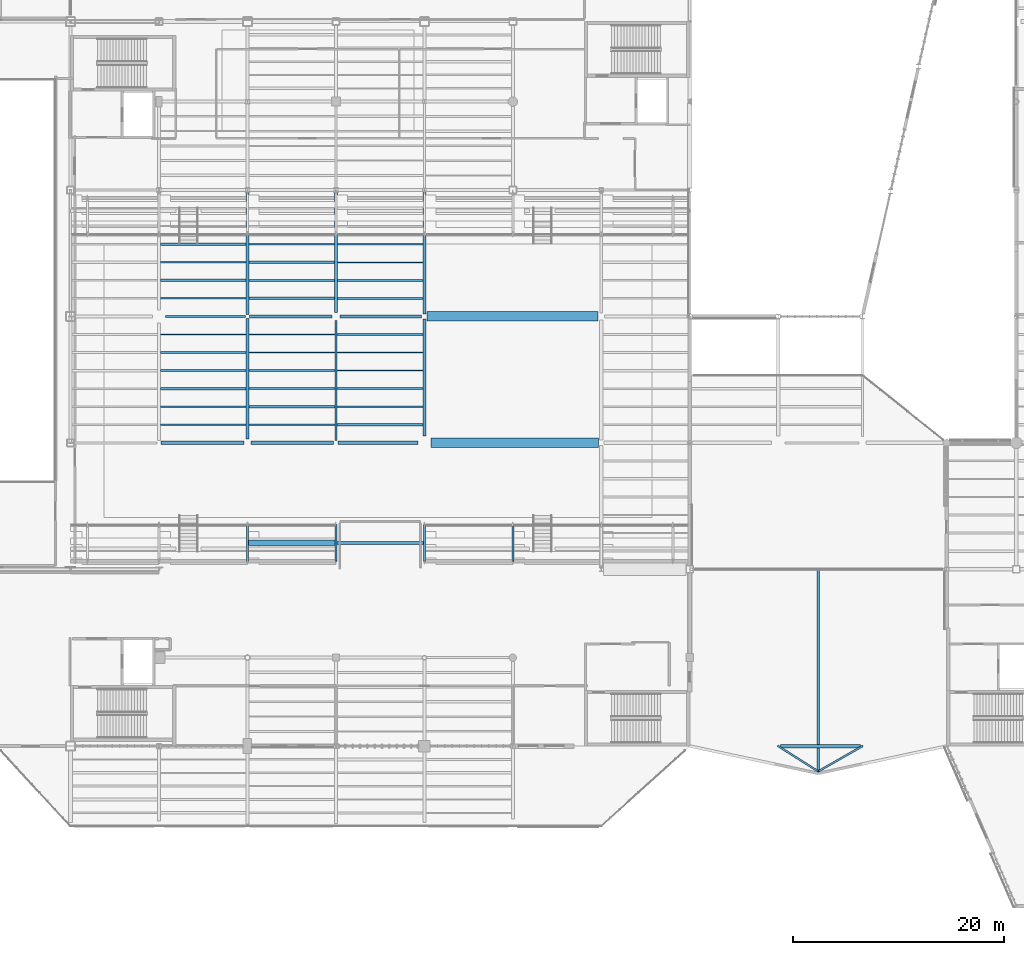
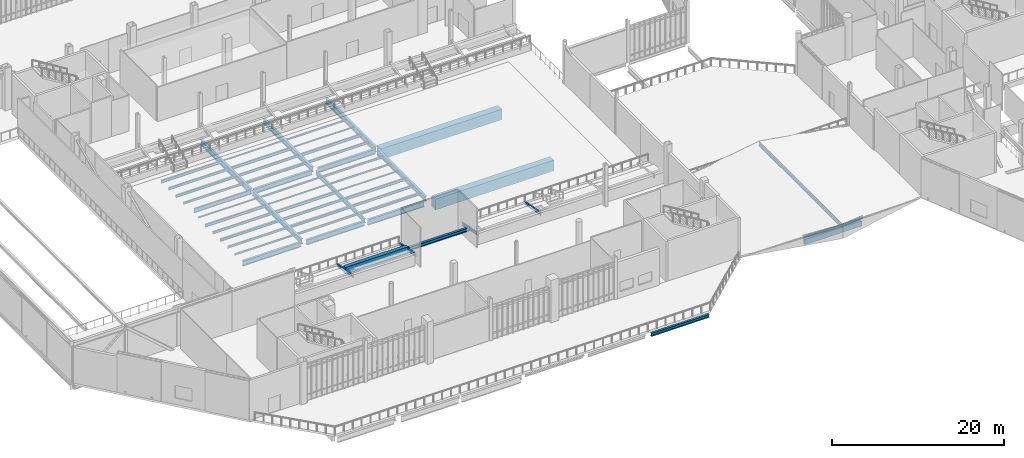
# One storey, part 18 of 135: 48 beams, 7 members.
"""IFC4 building model written with IfcOpenShell, lengths in metres."""

from ifc_helpers import new_model, si_unit, direction, frame, origin, origin_2d, place, context, subcontext, project, spatial, rectangle, i_section, extrude, material, material_profile, profile_set, type_object, element, save


model = new_model("IFC4")

# Units and contexts
model_context = context("Model", 3, precision=1e-05, world=origin(), true_north=direction((0.0, 1.0)))
body_context = subcontext(model_context, "Body", "Model", "MODEL_VIEW")
ifc_project = project(units=[si_unit("LENGTHUNIT", "METRE"), si_unit("AREAUNIT", "SQUARE_METRE"), si_unit("VOLUMEUNIT", "CUBIC_METRE"), si_unit("PLANEANGLEUNIT", "RADIAN"), si_unit("MASSUNIT", "GRAM", prefix="KILO")], contexts=[model_context])

# Site, building, storey
site_placement = place(None, origin())
site = spatial("IfcSite", under=ifc_project, at=site_placement, CompositionType="ELEMENT")
building_placement = place(site_placement, origin())
building = spatial("IfcBuilding", under=site, at=building_placement, Name="Larkvane Passage Sports Hall", CompositionType="ELEMENT")
storey_placement = place(building_placement, frame((0.0, 0.0, 10.800048828125)))
storey = spatial("IfcBuildingStorey", under=building, at=storey_placement, Name="L02", CompositionType="ELEMENT", Elevation=10.800048828125)

# Beams
ifc_material_1 = material(Name="Steel S355JR", Category="steel")
ifc_material_profile_1 = material_profile(ifc_material_1, i_section(OverallWidth=0.300048828125, OverallDepth=0.43994140625, WebThickness=0.010986328125, FlangeThickness=0.01806640625, FilletRadius=0.01806640625, at=origin_2d()), Name="H-440x300x11x18")
ifc_profile_set_1 = profile_set([ifc_material_profile_1], Name="Steel S355JR")
beam_type_1 = type_object("IfcBeamType", Name="BM-STL-H440", PredefinedType="BEAM", material=ifc_profile_set_1)
beam_1_placement = place(storey_placement, frame((77.199951171875, 15.199951171875, -0.64013671875), z_axis=(1.0, 0.0, 0.0), x_axis=(0.0, 1.0, 0.0)))
element("IfcBeam", 1, at=beam_1_placement, inside=storey, type_object=beam_type_1, Name="Girder BM5-X-L02-C-0679", PredefinedType="BEAM", context=body_context, shape_type="SweptSolid", body=[
    extrude(i_section(OverallWidth=0.300048828125, OverallDepth=0.43994140625, WebThickness=0.010986328125, FlangeThickness=0.01806640625, FilletRadius=0.01806640625, at=origin_2d()), origin(), (0.0, 0.0, 1.0), 7.800048828125),
])
ifc_material_profile_2 = material_profile(ifc_material_1, i_section(OverallWidth=0.199951171875, OverallDepth=0.60009765625, WebThickness=0.010986328125, FlangeThickness=0.01708984375, FilletRadius=0.01806640625, at=origin_2d()), Name="H-600x200x11x17")
ifc_profile_set_2 = profile_set([ifc_material_profile_2], Name="Steel S355JR")
beam_type_2 = type_object("IfcBeamType", Name="BM-STL-H600", PredefinedType="BEAM", material=ifc_profile_set_2)
beam_2_placement = place(storey_placement, frame((43.824951171875, 63.60009765625, -0.719970703125), z_axis=(1.0, 0.0, 0.0), x_axis=(0.0, 1.0, 0.0)))
element("IfcBeam", 2, at=beam_2_placement, inside=storey, type_object=beam_type_2, Name="Girder BM5-X-L02-H-0709", PredefinedType="BEAM", context=body_context, shape_type="SweptSolid", body=[
    extrude(i_section(OverallWidth=0.199951171875, OverallDepth=0.60009765625, WebThickness=0.010986328125, FlangeThickness=0.01708984375, FilletRadius=0.01806640625, at=origin_2d()), origin(), (0.0, 0.0, 1.0), 7.60009765625),
])
beam_3_placement = place(storey_placement, frame((60.0, 51.8291015625, -0.719970703125), z_axis=(0.0, 1.0, 0.0), x_axis=(-1.0, 0.0, 0.0)))
element("IfcBeam", 3, at=beam_3_placement, inside=storey, type_object=beam_type_2, Name="Girder BM5-Y-L02-9-0753", PredefinedType="BEAM", context=body_context, shape_type="SweptSolid", body=[
    extrude(i_section(OverallWidth=0.199951171875, OverallDepth=0.60009765625, WebThickness=0.010986328125, FlangeThickness=0.01708984375, FilletRadius=0.01806640625, at=origin_2d()), origin(), (0.0, 0.0, 1.0), 11.39599609375),
])
ifc_material_2 = material(Name="Steel S460N", Category="steel")
ifc_material_profile_3 = material_profile(ifc_material_2, i_section(OverallWidth=0.300048828125, OverallDepth=0.69189453125, WebThickness=0.012939453125, FlangeThickness=0.02001953125, FilletRadius=0.02197265625, at=origin_2d()), Name="H-692x300x13x20")
ifc_profile_set_3 = profile_set([ifc_material_profile_3], Name="Steel S460N")
beam_type_3 = type_object("IfcBeamType", Name="BM-STL-H692", PredefinedType="BEAM", material=ifc_profile_set_3)
for number, where, z_axis, x_axis, name in (
    (4, (43.39990234375, 51.60009765625, -0.76611328125), (1.0, 0.0, 0.0), (0.0, 1.0, 0.0), "Girder BM5-X-L02-G-0697"),
    (5, (51.77490234375, 63.60009765625, -0.76611328125), (1.0, 0.0, 0.0), (0.0, 1.0, 0.0), "Girder BM5-X-L02-H-0710"),
):
    element("IfcBeam", number, at=place(storey_placement, frame(where, z_axis=z_axis, x_axis=x_axis)), inside=storey, type_object=beam_type_3, Name=name, PredefinedType="BEAM", context=body_context, shape_type="SweptSolid", body=[
        extrude(i_section(OverallWidth=0.300048828125, OverallDepth=0.69189453125, WebThickness=0.012939453125, FlangeThickness=0.02001953125, FilletRadius=0.02197265625, at=origin_2d()), origin(), (0.0, 0.0, 1.0), 7.85009765625),
    ])
beam_4_placement = place(storey_placement, frame((60.0, 63.97509765625, -0.76611328125), z_axis=(0.0, 1.0, 0.0), x_axis=(-1.0, 0.0, 0.0)))
element("IfcBeam", 6, at=beam_4_placement, inside=storey, type_object=beam_type_3, Name="Girder BM5-Y-L02-9-0754", PredefinedType="BEAM", context=body_context, shape_type="SweptSolid", body=[
    extrude(i_section(OverallWidth=0.300048828125, OverallDepth=0.69189453125, WebThickness=0.012939453125, FlangeThickness=0.02001953125, FilletRadius=0.02197265625, at=origin_2d()), origin(), (0.0, 0.0, 1.0), 11.4248046875),
])
ifc_material_profile_4 = material_profile(ifc_material_2, i_section(OverallWidth=0.300048828125, OverallDepth=0.699951171875, WebThickness=0.012939453125, FlangeThickness=0.02392578125, FilletRadius=0.02197265625, at=origin_2d()), Name="H-700x300x13x24")
ifc_profile_set_4 = profile_set([ifc_material_profile_4], Name="Steel S460N")
beam_type_4 = type_object("IfcBeamType", Name="BM-STL-H700", PredefinedType="BEAM", material=ifc_profile_set_4)
beam_5_placement = place(storey_placement, frame((51.949951171875, 51.60009765625, -0.77001953125), z_axis=(1.0, 0.0, 0.0), x_axis=(0.0, 1.0, 0.0)))
element("IfcBeam", 7, at=beam_5_placement, inside=storey, type_object=beam_type_4, Name="Girder BM5-X-L02-G-0698", PredefinedType="BEAM", context=body_context, shape_type="SweptSolid", body=[
    extrude(i_section(OverallWidth=0.300048828125, OverallDepth=0.699951171875, WebThickness=0.012939453125, FlangeThickness=0.02392578125, FilletRadius=0.02197265625, at=origin_2d()), origin(), (0.0, 0.0, 1.0), 7.841552734375),
])
beam_6_placement = place(storey_placement, frame((60.375, 63.60009765625, -0.77001953125), z_axis=(1.0, 0.0, 0.0), x_axis=(0.0, 1.0, 0.0)))
element("IfcBeam", 8, at=beam_6_placement, inside=storey, type_object=beam_type_4, Name="Girder BM5-X-L02-H-0711", PredefinedType="BEAM", context=body_context, shape_type="SweptSolid", body=[
    extrude(i_section(OverallWidth=0.300048828125, OverallDepth=0.699951171875, WebThickness=0.012939453125, FlangeThickness=0.02392578125, FilletRadius=0.02197265625, at=origin_2d()), origin(), (0.0, 0.0, 1.0), 7.77099609375),
])
beam_7_placement = place(storey_placement, frame((51.60009765625, 51.949951171875, -0.77001953125), z_axis=(0.0, 1.0, 0.0), x_axis=(-1.0, 0.0, 0.0)))
element("IfcBeam", 9, at=beam_7_placement, inside=storey, type_object=beam_type_4, Name="Girder BM5-Y-L02-8-0747", PredefinedType="BEAM", context=body_context, shape_type="SweptSolid", body=[
    extrude(i_section(OverallWidth=0.300048828125, OverallDepth=0.699951171875, WebThickness=0.012939453125, FlangeThickness=0.02392578125, FilletRadius=0.02197265625, at=origin_2d()), origin(), (0.0, 0.0, 1.0), 11.47509765625),
])
beam_8_placement = place(storey_placement, frame((68.39990234375, 52.22509765625, -0.77001953125), z_axis=(0.0, 1.0, 0.0), x_axis=(-1.0, 0.0, 0.0)))
element("IfcBeam", 10, at=beam_8_placement, inside=storey, type_object=beam_type_4, Name="Girder BM5-Y-L02-10-0759", PredefinedType="BEAM", context=body_context, shape_type="SweptSolid", body=[
    extrude(i_section(OverallWidth=0.300048828125, OverallDepth=0.699951171875, WebThickness=0.012939453125, FlangeThickness=0.02392578125, FilletRadius=0.02197265625, at=origin_2d()), origin(), (0.0, 0.0, 1.0), 11.120849609375),
])
ifc_material_profile_5 = material_profile(ifc_material_2, i_section(OverallWidth=0.300048828125, OverallDepth=0.7919921875, WebThickness=0.013916015625, FlangeThickness=0.02197265625, FilletRadius=0.02197265625, at=origin_2d()), Name="H-792x300x14x22")
ifc_profile_set_5 = profile_set([ifc_material_profile_5], Name="Steel S460N")
beam_type_5 = type_object("IfcBeamType", Name="BM-STL-H792", PredefinedType="BEAM", material=ifc_profile_set_5)
beam_9_placement = place(storey_placement, frame((60.20849609375, 51.60009765625, -0.816162109375), z_axis=(1.0, 0.0, 0.0), x_axis=(0.0, 1.0, 0.0)))
element("IfcBeam", 11, at=beam_9_placement, inside=storey, type_object=beam_type_5, Name="Girder BM5-X-L02-G-0699", PredefinedType="BEAM", context=body_context, shape_type="SweptSolid", body=[
    extrude(i_section(OverallWidth=0.300048828125, OverallDepth=0.7919921875, WebThickness=0.013916015625, FlangeThickness=0.02197265625, FilletRadius=0.02197265625, at=origin_2d()), origin(), (0.0, 0.0, 1.0), 7.56640625),
])
beam_10_placement = place(storey_placement, frame((51.60009765625, 63.77490234375, -0.816162109375), z_axis=(0.0, 1.0, 0.0), x_axis=(-1.0, 0.0, 0.0)))
element("IfcBeam", 12, at=beam_10_placement, inside=storey, type_object=beam_type_5, Name="Girder BM5-Y-L02-8-0748", PredefinedType="BEAM", context=body_context, shape_type="SweptSolid", body=[
    extrude(i_section(OverallWidth=0.300048828125, OverallDepth=0.7919921875, WebThickness=0.013916015625, FlangeThickness=0.02197265625, FilletRadius=0.02197265625, at=origin_2d()), origin(), (0.0, 0.0, 1.0), 11.6181640625),
])
beam_11_placement = place(storey_placement, frame((68.39990234375, 63.85400390625, -0.816162109375), z_axis=(0.0, 1.0, 0.0), x_axis=(-1.0, 0.0, 0.0)))
element("IfcBeam", 13, at=beam_11_placement, inside=storey, type_object=beam_type_5, Name="Girder BM5-Y-L02-10-0760", PredefinedType="BEAM", context=body_context, shape_type="SweptSolid", body=[
    extrude(i_section(OverallWidth=0.300048828125, OverallDepth=0.7919921875, WebThickness=0.013916015625, FlangeThickness=0.02197265625, FilletRadius=0.02197265625, at=origin_2d()), origin(), (0.0, 0.0, 1.0), 11.571044921875),
])
ifc_material_profile_6 = material_profile(ifc_material_1, i_section(OverallWidth=0.10009765625, OverallDepth=0.199951171875, WebThickness=0.005615234375, FlangeThickness=0.008056640625, FilletRadius=0.008056640625, at=origin_2d()), Name="H-200x100x5.5x8")
ifc_profile_set_6 = profile_set([ifc_material_profile_6], Name="Steel S355JR")
beam_type_6 = type_object("IfcBeamType", Name="JST-STL-H200", PredefinedType="JOIST", material=ifc_profile_set_6)
beam_12_placement = place(storey_placement, frame((43.35009765625, 61.8857421875, -0.52001953125), z_axis=(1.0, 0.0, 0.0), x_axis=(0.0, 1.0, 0.0)))
element("IfcBeam", 14, at=beam_12_placement, inside=storey, type_object=beam_type_6, Name="Composite joist L02 7/G-6", PredefinedType="JOIST", context=body_context, shape_type="SweptSolid", body=[
    extrude(i_section(OverallWidth=0.10009765625, OverallDepth=0.199951171875, WebThickness=0.005615234375, FlangeThickness=0.008056640625, FilletRadius=0.008056640625, at=origin_2d()), origin(), (0.0, 0.0, 1.0), 8.099853515625),
])
beam_13_placement = place(storey_placement, frame((51.75, 60.17138671875, -0.52001953125), z_axis=(1.0, 0.0, 0.0), x_axis=(0.0, 1.0, 0.0)))
element("IfcBeam", 15, at=beam_13_placement, inside=storey, type_object=beam_type_6, Name="Composite joist L02 8/G-5", PredefinedType="JOIST", context=body_context, shape_type="SweptSolid", body=[
    extrude(i_section(OverallWidth=0.10009765625, OverallDepth=0.199951171875, WebThickness=0.005615234375, FlangeThickness=0.008056640625, FilletRadius=0.008056640625, at=origin_2d()), origin(), (0.0, 0.0, 1.0), 8.14990234375),
])
beam_14_placement = place(storey_placement, frame((51.75, 70.45703125, -0.52001953125), z_axis=(1.0, 0.0, 0.0), x_axis=(0.0, 1.0, 0.0)))
element("IfcBeam", 16, at=beam_14_placement, inside=storey, type_object=beam_type_6, Name="Composite joist L02 8/H-4", PredefinedType="JOIST", context=body_context, shape_type="SweptSolid", body=[
    extrude(i_section(OverallWidth=0.10009765625, OverallDepth=0.199951171875, WebThickness=0.005615234375, FlangeThickness=0.008056640625, FilletRadius=0.008056640625, at=origin_2d()), origin(), (0.0, 0.0, 1.0), 8.10009765625),
])
beam_15_placement = place(storey_placement, frame((60.10009765625, 58.45703125, -0.52001953125), z_axis=(1.0, 0.0, 0.0), x_axis=(0.0, 1.0, 0.0)))
element("IfcBeam", 17, at=beam_15_placement, inside=storey, type_object=beam_type_6, Name="Composite joist L02 9/G-4", PredefinedType="JOIST", context=body_context, shape_type="SweptSolid", body=[
    extrude(i_section(OverallWidth=0.10009765625, OverallDepth=0.199951171875, WebThickness=0.005615234375, FlangeThickness=0.008056640625, FilletRadius=0.008056640625, at=origin_2d()), origin(), (0.0, 0.0, 1.0), 8.14990234375),
])
beam_16_placement = place(storey_placement, frame((60.14990234375, 68.742919921875, -0.52001953125), z_axis=(1.0, 0.0, 0.0), x_axis=(0.0, 1.0, 0.0)))
element("IfcBeam", 18, at=beam_16_placement, inside=storey, type_object=beam_type_6, Name="Composite joist L02 9/H-3", PredefinedType="JOIST", context=body_context, shape_type="SweptSolid", body=[
    extrude(i_section(OverallWidth=0.10009765625, OverallDepth=0.199951171875, WebThickness=0.005615234375, FlangeThickness=0.008056640625, FilletRadius=0.008056640625, at=origin_2d()), origin(), (0.0, 0.0, 1.0), 8.10009765625),
])
ifc_material_profile_7 = material_profile(ifc_material_1, i_section(OverallWidth=0.125, OverallDepth=0.25, WebThickness=0.006103515625, FlangeThickness=0.009033203125, FilletRadius=0.008056640625, at=origin_2d()), Name="H-250x125x6x9")
ifc_profile_set_7 = profile_set([ifc_material_profile_7], Name="Steel S355JR")
beam_type_7 = type_object("IfcBeamType", Name="JST-STL-H250", PredefinedType="JOIST", material=ifc_profile_set_7)
beam_17_placement = place(storey_placement, frame((43.35009765625, 53.314208984375, -0.545166015625), z_axis=(1.0, 0.0, 0.0), x_axis=(0.0, 1.0, 0.0)))
element("IfcBeam", 19, at=beam_17_placement, inside=storey, type_object=beam_type_7, Name="Composite joist L02 7/G-1", PredefinedType="JOIST", context=body_context, shape_type="SweptSolid", body=[
    extrude(i_section(OverallWidth=0.125, OverallDepth=0.25, WebThickness=0.006103515625, FlangeThickness=0.009033203125, FilletRadius=0.008056640625, at=origin_2d()), origin(), (0.0, 0.0, 1.0), 8.099853515625),
])
for number, where, z_axis, x_axis, name in (
    (20, (51.75, 61.8857421875, -0.545166015625), (1.0, 0.0, 0.0), (0.0, 1.0, 0.0), "Composite joist L02 8/G-6"),
    (21, (60.10009765625, 60.17138671875, -0.545166015625), (1.0, 0.0, 0.0), (0.0, 1.0, 0.0), "Composite joist L02 9/G-5"),
):
    element("IfcBeam", number, at=place(storey_placement, frame(where, z_axis=z_axis, x_axis=x_axis)), inside=storey, type_object=beam_type_7, Name=name, PredefinedType="JOIST", context=body_context, shape_type="SweptSolid", body=[
        extrude(i_section(OverallWidth=0.125, OverallDepth=0.25, WebThickness=0.006103515625, FlangeThickness=0.009033203125, FilletRadius=0.008056640625, at=origin_2d()), origin(), (0.0, 0.0, 1.0), 8.14990234375),
    ])
beam_18_placement = place(storey_placement, frame((60.14990234375, 70.45703125, -0.545166015625), z_axis=(1.0, 0.0, 0.0), x_axis=(0.0, 1.0, 0.0)))
element("IfcBeam", 22, at=beam_18_placement, inside=storey, type_object=beam_type_7, Name="Composite joist L02 9/H-4", PredefinedType="JOIST", context=body_context, shape_type="SweptSolid", body=[
    extrude(i_section(OverallWidth=0.125, OverallDepth=0.25, WebThickness=0.006103515625, FlangeThickness=0.009033203125, FilletRadius=0.008056640625, at=origin_2d()), origin(), (0.0, 0.0, 1.0), 8.10009765625),
])
ifc_material_profile_8 = material_profile(ifc_material_1, i_section(OverallWidth=0.14990234375, OverallDepth=0.300048828125, WebThickness=0.006591796875, FlangeThickness=0.009033203125, FilletRadius=0.012939453125, at=origin_2d()), Name="H-300x150x6.5x9")
ifc_profile_set_8 = profile_set([ifc_material_profile_8], Name="Steel S355JR")
beam_type_8 = type_object("IfcBeamType", Name="JST-STL-H300", PredefinedType="JOIST", material=ifc_profile_set_8)
for number, where, z_axis, x_axis, name in (
    (23, (43.35009765625, 55.028564453125, -0.570068359375), (1.0, 0.0, 0.0), (0.0, 1.0, 0.0), "Composite joist L02 7/G-2"),
    (24, (43.35009765625, 65.314208984375, -0.570068359375), (1.0, 0.0, 0.0), (0.0, 1.0, 0.0), "Composite joist L02 7/H-1"),
):
    element("IfcBeam", number, at=place(storey_placement, frame(where, z_axis=z_axis, x_axis=x_axis)), inside=storey, type_object=beam_type_8, Name=name, PredefinedType="JOIST", context=body_context, shape_type="SweptSolid", body=[
        extrude(i_section(OverallWidth=0.14990234375, OverallDepth=0.300048828125, WebThickness=0.006591796875, FlangeThickness=0.009033203125, FilletRadius=0.012939453125, at=origin_2d()), origin(), (0.0, 0.0, 1.0), 8.099853515625),
    ])
for number, where, z_axis, x_axis, name in (
    (25, (51.75, 53.314208984375, -0.570068359375), (1.0, 0.0, 0.0), (0.0, 1.0, 0.0), "Composite joist L02 8/G-1"),
    (26, (60.10009765625, 61.8857421875, -0.570068359375), (1.0, 0.0, 0.0), (0.0, 1.0, 0.0), "Composite joist L02 9/G-6"),
):
    element("IfcBeam", number, at=place(storey_placement, frame(where, z_axis=z_axis, x_axis=x_axis)), inside=storey, type_object=beam_type_8, Name=name, PredefinedType="JOIST", context=body_context, shape_type="SweptSolid", body=[
        extrude(i_section(OverallWidth=0.14990234375, OverallDepth=0.300048828125, WebThickness=0.006591796875, FlangeThickness=0.009033203125, FilletRadius=0.012939453125, at=origin_2d()), origin(), (0.0, 0.0, 1.0), 8.14990234375),
    ])
ifc_material_profile_9 = material_profile(ifc_material_1, i_section(OverallWidth=0.25, OverallDepth=0.340087890625, WebThickness=0.009033203125, FlangeThickness=0.013916015625, FilletRadius=0.012939453125, at=origin_2d()), Name="H-340x250x9x14")
ifc_profile_set_9 = profile_set([ifc_material_profile_9], Name="Steel S355JR")
beam_type_9 = type_object("IfcBeamType", Name="JST-STL-H340", PredefinedType="JOIST", material=ifc_profile_set_9)
for number, where, z_axis, x_axis, name in (
    (27, (43.35009765625, 56.742919921875, -0.590087890625), (1.0, 0.0, 0.0), (0.0, 1.0, 0.0), "Composite joist L02 7/G-3"),
    (28, (43.35009765625, 67.028564453125, -0.590087890625), (1.0, 0.0, 0.0), (0.0, 1.0, 0.0), "Composite joist L02 7/H-2"),
):
    element("IfcBeam", number, at=place(storey_placement, frame(where, z_axis=z_axis, x_axis=x_axis)), inside=storey, type_object=beam_type_9, Name=name, PredefinedType="JOIST", context=body_context, shape_type="SweptSolid", body=[
        extrude(i_section(OverallWidth=0.25, OverallDepth=0.340087890625, WebThickness=0.009033203125, FlangeThickness=0.013916015625, FilletRadius=0.012939453125, at=origin_2d()), origin(), (0.0, 0.0, 1.0), 8.099853515625),
    ])
beam_19_placement = place(storey_placement, frame((51.75, 55.028564453125, -0.590087890625), z_axis=(1.0, 0.0, 0.0), x_axis=(0.0, 1.0, 0.0)))
element("IfcBeam", 29, at=beam_19_placement, inside=storey, type_object=beam_type_9, Name="Composite joist L02 8/G-2", PredefinedType="JOIST", context=body_context, shape_type="SweptSolid", body=[
    extrude(i_section(OverallWidth=0.25, OverallDepth=0.340087890625, WebThickness=0.009033203125, FlangeThickness=0.013916015625, FilletRadius=0.012939453125, at=origin_2d()), origin(), (0.0, 0.0, 1.0), 8.14990234375),
])
beam_20_placement = place(storey_placement, frame((51.75, 65.314208984375, -0.590087890625), z_axis=(1.0, 0.0, 0.0), x_axis=(0.0, 1.0, 0.0)))
element("IfcBeam", 30, at=beam_20_placement, inside=storey, type_object=beam_type_9, Name="Composite joist L02 8/H-1", PredefinedType="JOIST", context=body_context, shape_type="SweptSolid", body=[
    extrude(i_section(OverallWidth=0.25, OverallDepth=0.340087890625, WebThickness=0.009033203125, FlangeThickness=0.013916015625, FilletRadius=0.012939453125, at=origin_2d()), origin(), (0.0, 0.0, 1.0), 8.10009765625),
])
beam_21_placement = place(storey_placement, frame((60.10009765625, 53.314208984375, -0.590087890625), z_axis=(1.0, 0.0, 0.0), x_axis=(0.0, 1.0, 0.0)))
element("IfcBeam", 31, at=beam_21_placement, inside=storey, type_object=beam_type_9, Name="Composite joist L02 9/G-1", PredefinedType="JOIST", context=body_context, shape_type="SweptSolid", body=[
    extrude(i_section(OverallWidth=0.25, OverallDepth=0.340087890625, WebThickness=0.009033203125, FlangeThickness=0.013916015625, FilletRadius=0.012939453125, at=origin_2d()), origin(), (0.0, 0.0, 1.0), 8.14990234375),
])
ifc_material_profile_10 = material_profile(ifc_material_1, i_section(OverallWidth=0.175048828125, OverallDepth=0.35009765625, WebThickness=0.007080078125, FlangeThickness=0.010986328125, FilletRadius=0.012939453125, at=origin_2d()), Name="H-350x175x7x11")
ifc_profile_set_10 = profile_set([ifc_material_profile_10], Name="Steel S355JR")
beam_type_10 = type_object("IfcBeamType", Name="JST-STL-H350", PredefinedType="JOIST", material=ifc_profile_set_10)
for number, where, z_axis, x_axis, name in (
    (32, (43.35009765625, 58.45703125, -0.594970703125), (1.0, 0.0, 0.0), (0.0, 1.0, 0.0), "Composite joist L02 7/G-4"),
    (33, (43.35009765625, 68.742919921875, -0.594970703125), (1.0, 0.0, 0.0), (0.0, 1.0, 0.0), "Composite joist L02 7/H-3"),
):
    element("IfcBeam", number, at=place(storey_placement, frame(where, z_axis=z_axis, x_axis=x_axis)), inside=storey, type_object=beam_type_10, Name=name, PredefinedType="JOIST", context=body_context, shape_type="SweptSolid", body=[
        extrude(i_section(OverallWidth=0.175048828125, OverallDepth=0.35009765625, WebThickness=0.007080078125, FlangeThickness=0.010986328125, FilletRadius=0.012939453125, at=origin_2d()), origin(), (0.0, 0.0, 1.0), 8.099853515625),
    ])
beam_22_placement = place(storey_placement, frame((51.75, 56.742919921875, -0.594970703125), z_axis=(1.0, 0.0, 0.0), x_axis=(0.0, 1.0, 0.0)))
element("IfcBeam", 34, at=beam_22_placement, inside=storey, type_object=beam_type_10, Name="Composite joist L02 8/G-3", PredefinedType="JOIST", context=body_context, shape_type="SweptSolid", body=[
    extrude(i_section(OverallWidth=0.175048828125, OverallDepth=0.35009765625, WebThickness=0.007080078125, FlangeThickness=0.010986328125, FilletRadius=0.012939453125, at=origin_2d()), origin(), (0.0, 0.0, 1.0), 8.14990234375),
])
beam_23_placement = place(storey_placement, frame((51.75, 67.028564453125, -0.594970703125), z_axis=(1.0, 0.0, 0.0), x_axis=(0.0, 1.0, 0.0)))
element("IfcBeam", 35, at=beam_23_placement, inside=storey, type_object=beam_type_10, Name="Composite joist L02 8/H-2", PredefinedType="JOIST", context=body_context, shape_type="SweptSolid", body=[
    extrude(i_section(OverallWidth=0.175048828125, OverallDepth=0.35009765625, WebThickness=0.007080078125, FlangeThickness=0.010986328125, FilletRadius=0.012939453125, at=origin_2d()), origin(), (0.0, 0.0, 1.0), 8.10009765625),
])
beam_24_placement = place(storey_placement, frame((60.10009765625, 55.028564453125, -0.594970703125), z_axis=(1.0, 0.0, 0.0), x_axis=(0.0, 1.0, 0.0)))
element("IfcBeam", 36, at=beam_24_placement, inside=storey, type_object=beam_type_10, Name="Composite joist L02 9/G-2", PredefinedType="JOIST", context=body_context, shape_type="SweptSolid", body=[
    extrude(i_section(OverallWidth=0.175048828125, OverallDepth=0.35009765625, WebThickness=0.007080078125, FlangeThickness=0.010986328125, FilletRadius=0.012939453125, at=origin_2d()), origin(), (0.0, 0.0, 1.0), 8.14990234375),
])
beam_25_placement = place(storey_placement, frame((60.14990234375, 65.314208984375, -0.594970703125), z_axis=(1.0, 0.0, 0.0), x_axis=(0.0, 1.0, 0.0)))
element("IfcBeam", 37, at=beam_25_placement, inside=storey, type_object=beam_type_10, Name="Composite joist L02 9/H-1", PredefinedType="JOIST", context=body_context, shape_type="SweptSolid", body=[
    extrude(i_section(OverallWidth=0.175048828125, OverallDepth=0.35009765625, WebThickness=0.007080078125, FlangeThickness=0.010986328125, FilletRadius=0.012939453125, at=origin_2d()), origin(), (0.0, 0.0, 1.0), 8.10009765625),
])
ifc_material_profile_11 = material_profile(ifc_material_1, i_section(OverallWidth=0.199951171875, OverallDepth=0.39990234375, WebThickness=0.008056640625, FlangeThickness=0.012939453125, FilletRadius=0.012939453125, at=origin_2d()), Name="H-400x200x8x13")
ifc_profile_set_11 = profile_set([ifc_material_profile_11], Name="Steel S355JR")
beam_type_11 = type_object("IfcBeamType", Name="JST-STL-H400", PredefinedType="JOIST", material=ifc_profile_set_11)
for number, where, z_axis, x_axis, name in (
    (38, (43.35009765625, 60.17138671875, -0.6201171875), (1.0, 0.0, 0.0), (0.0, 1.0, 0.0), "Composite joist L02 7/G-5"),
    (39, (43.35009765625, 70.45703125, -0.6201171875), (1.0, 0.0, 0.0), (0.0, 1.0, 0.0), "Composite joist L02 7/H-4"),
):
    element("IfcBeam", number, at=place(storey_placement, frame(where, z_axis=z_axis, x_axis=x_axis)), inside=storey, type_object=beam_type_11, Name=name, PredefinedType="JOIST", context=body_context, shape_type="SweptSolid", body=[
        extrude(i_section(OverallWidth=0.199951171875, OverallDepth=0.39990234375, WebThickness=0.008056640625, FlangeThickness=0.012939453125, FilletRadius=0.012939453125, at=origin_2d()), origin(), (0.0, 0.0, 1.0), 8.099853515625),
    ])
beam_26_placement = place(storey_placement, frame((51.75, 58.45703125, -0.6201171875), z_axis=(1.0, 0.0, 0.0), x_axis=(0.0, 1.0, 0.0)))
element("IfcBeam", 40, at=beam_26_placement, inside=storey, type_object=beam_type_11, Name="Composite joist L02 8/G-4", PredefinedType="JOIST", context=body_context, shape_type="SweptSolid", body=[
    extrude(i_section(OverallWidth=0.199951171875, OverallDepth=0.39990234375, WebThickness=0.008056640625, FlangeThickness=0.012939453125, FilletRadius=0.012939453125, at=origin_2d()), origin(), (0.0, 0.0, 1.0), 8.14990234375),
])
beam_27_placement = place(storey_placement, frame((51.75, 68.742919921875, -0.6201171875), z_axis=(1.0, 0.0, 0.0), x_axis=(0.0, 1.0, 0.0)))
element("IfcBeam", 41, at=beam_27_placement, inside=storey, type_object=beam_type_11, Name="Composite joist L02 8/H-3", PredefinedType="JOIST", context=body_context, shape_type="SweptSolid", body=[
    extrude(i_section(OverallWidth=0.199951171875, OverallDepth=0.39990234375, WebThickness=0.008056640625, FlangeThickness=0.012939453125, FilletRadius=0.012939453125, at=origin_2d()), origin(), (0.0, 0.0, 1.0), 8.10009765625),
])
beam_28_placement = place(storey_placement, frame((60.10009765625, 56.742919921875, -0.6201171875), z_axis=(1.0, 0.0, 0.0), x_axis=(0.0, 1.0, 0.0)))
element("IfcBeam", 42, at=beam_28_placement, inside=storey, type_object=beam_type_11, Name="Composite joist L02 9/G-3", PredefinedType="JOIST", context=body_context, shape_type="SweptSolid", body=[
    extrude(i_section(OverallWidth=0.199951171875, OverallDepth=0.39990234375, WebThickness=0.008056640625, FlangeThickness=0.012939453125, FilletRadius=0.012939453125, at=origin_2d()), origin(), (0.0, 0.0, 1.0), 8.14990234375),
])
beam_29_placement = place(storey_placement, frame((60.14990234375, 67.028564453125, -0.6201171875), z_axis=(1.0, 0.0, 0.0), x_axis=(0.0, 1.0, 0.0)))
element("IfcBeam", 43, at=beam_29_placement, inside=storey, type_object=beam_type_11, Name="Composite joist L02 9/H-2", PredefinedType="JOIST", context=body_context, shape_type="SweptSolid", body=[
    extrude(i_section(OverallWidth=0.199951171875, OverallDepth=0.39990234375, WebThickness=0.008056640625, FlangeThickness=0.012939453125, FilletRadius=0.012939453125, at=origin_2d()), origin(), (0.0, 0.0, 1.0), 8.10009765625),
])

# Members
ifc_material_profile_12 = material_profile(ifc_material_1, i_section(OverallWidth=0.175048828125, OverallDepth=0.35009765625, WebThickness=0.007080078125, FlangeThickness=0.010986328125, FilletRadius=0.012939453125, at=origin_2d()), Name="H-350x175x7x11")
ifc_profile_set_12 = profile_set([ifc_material_profile_12], Name="Steel S355JR")
member_type_1 = type_object("IfcMemberType", Name="MBR-RF-H350", PredefinedType="RAFTER", material=ifc_profile_set_12)
member_1_placement = place(storey_placement, frame((102.0, 22.800048828125, 0.0), z_axis=(0.795395601912, -0.502379322994, 0.339058774089), x_axis=(0.534011384473, 0.845477286066, 0.0)))
element("IfcMember", 44, at=member_1_placement, inside=storey, type_object=member_type_1, Name="Entrance foyer canopy portal rafter 3", PredefinedType="RAFTER", context=body_context, shape_type="SweptSolid", body=[
    extrude(i_section(OverallWidth=0.175048828125, OverallDepth=0.35009765625, WebThickness=0.007080078125, FlangeThickness=0.010986328125, FilletRadius=0.012939453125, at=origin_2d()), origin(), (0.0, 0.0, 1.0), 4.777587890625),
])
member_2_placement = place(storey_placement, frame((110.0, 22.800048828125, 0.0), z_axis=(-0.823293839813, -0.470487806731, 0.317535001288), x_axis=(0.496166114024, -0.868227612608, 0.0)))
element("IfcMember", 45, at=member_2_placement, inside=storey, type_object=member_type_1, Name="Entrance foyer canopy portal rafter 4", PredefinedType="RAFTER", context=body_context, shape_type="SweptSolid", body=[
    extrude(i_section(OverallWidth=0.175048828125, OverallDepth=0.35009765625, WebThickness=0.007080078125, FlangeThickness=0.010986328125, FilletRadius=0.012939453125, at=origin_2d()), origin(), (0.0, 0.0, 1.0), 5.101318359375),
])
ifc_material_profile_13 = material_profile(ifc_material_1, i_section(OverallWidth=0.199951171875, OverallDepth=0.39990234375, WebThickness=0.008056640625, FlangeThickness=0.012939453125, FilletRadius=0.012939453125, at=origin_2d()), Name="H-400x200x8x13")
ifc_profile_set_13 = profile_set([ifc_material_profile_13], Name="Steel S355JR")
member_type_2 = type_object("IfcMemberType", Name="MBR-RF-H400", PredefinedType="RAFTER", material=ifc_profile_set_13)
for number, where, z_axis, x_axis, name in (
    (46, (51.60009765625, 43.800048828125, 0.849853515625), (0.0, -0.980019226989, 0.198902777086), (1.0, 0.0, 0.0), "Arena stand raker S3"),
    (47, (60.0, 43.800048828125, 0.849853515625), (0.0, -0.980019226989, 0.198902777086), (1.0, 0.0, 0.0), "Arena stand raker S4"),
    (48, (68.39990234375, 43.800048828125, 0.849853515625), (0.0, -0.980019226989, 0.198902777086), (1.0, 0.0, 0.0), "Arena stand raker S5"),
    (49, (76.800048828125, 43.800048828125, 0.849853515625), (0.0, -0.980019226989, 0.198902777086), (1.0, 0.0, 0.0), "Arena stand raker S6"),
):
    element("IfcMember", number, at=place(storey_placement, frame(where, z_axis=z_axis, x_axis=x_axis)), inside=storey, type_object=member_type_2, Name=name, PredefinedType="RAFTER", context=body_context, shape_type="SweptSolid", body=[
        extrude(i_section(OverallWidth=0.199951171875, OverallDepth=0.39990234375, WebThickness=0.008056640625, FlangeThickness=0.012939453125, FilletRadius=0.012939453125, at=origin_2d()), origin(), (0.0, 0.0, 1.0), 3.520263671875),
    ])
member_3_placement = place(storey_placement, frame((105.800048828125, 20.39990234375, 1.619873046875), z_axis=(0.0, 1.0, 0.0), x_axis=(-1.0, 0.0, 0.0)))
element("IfcMember", 50, at=member_3_placement, inside=storey, type_object=member_type_2, Name="Entrance foyer canopy ridge beam", PredefinedType="RAFTER", context=body_context, shape_type="SweptSolid", body=[
    extrude(i_section(OverallWidth=0.199951171875, OverallDepth=0.39990234375, WebThickness=0.008056640625, FlangeThickness=0.012939453125, FilletRadius=0.012939453125, at=origin_2d()), origin(), (0.0, 0.0, 1.0), 19.2001953125),
])

# Beams
ifc_material_3 = material(Name="Concrete C50/60", Category="concrete")
ifc_material_profile_14 = material_profile(ifc_material_3, rectangle(XDim=0.89990234375, YDim=1.5, at=origin_2d()), Name="PT-GIR-900x1500")
ifc_profile_set_14 = profile_set([ifc_material_profile_14], Name="Concrete C50/60")
beam_type_12 = type_object("IfcBeamType", Name="PTG-900x1500", PredefinedType="BEAM", material=ifc_profile_set_14)
beam_30_placement = place(storey_placement, frame((69.02490234375, 51.60009765625, -1.170166015625), z_axis=(1.0, 0.0, 0.0), x_axis=(0.0, 1.0, 0.0)))
element("IfcBeam", 51, at=beam_30_placement, inside=storey, type_object=beam_type_12, Name="Post-tensioned transfer girder BM5-X-L02-G-0700", PredefinedType="BEAM", context=body_context, shape_type="SweptSolid", body=[
    extrude(rectangle(XDim=0.89990234375, YDim=1.5, at=origin_2d()), origin(), (0.0, 0.0, 1.0), 15.925048828125),
])
beam_31_placement = place(storey_placement, frame((68.654052734375, 63.60009765625, -1.170166015625), z_axis=(1.0, 0.0, 0.0), x_axis=(0.0, 1.0, 0.0)))
element("IfcBeam", 52, at=beam_31_placement, inside=storey, type_object=beam_type_12, Name="Post-tensioned transfer girder BM5-X-L02-H-0712", PredefinedType="BEAM", context=body_context, shape_type="SweptSolid", body=[
    extrude(rectangle(XDim=0.89990234375, YDim=1.5, at=origin_2d()), origin(), (0.0, 0.0, 1.0), 16.220947265625),
])
ifc_material_4 = material(Name="Precast concrete C45/55", Category="concrete")
ifc_material_profile_15 = material_profile(ifc_material_4, rectangle(XDim=0.5, YDim=0.949951171875, at=origin_2d()), Name="RC-RK-500x950")
ifc_profile_set_15 = profile_set([ifc_material_profile_15], Name="Precast concrete C45/55")
beam_type_13 = type_object("IfcBeamType", Name="RK-RC-500x950", PredefinedType="BEAM", material=ifc_profile_set_15)
beam_32_placement = place(storey_placement, frame((51.60009765625, 42.10009765625, 1.179931640625), z_axis=(1.0, 0.0, 0.0), x_axis=(0.0, 1.0, 0.0)))
element("IfcBeam", 53, at=beam_32_placement, inside=storey, type_object=beam_type_13, Name="Arena stand tie girder 1", PredefinedType="BEAM", context=body_context, shape_type="SweptSolid", body=[
    extrude(rectangle(XDim=0.5, YDim=0.949951171875, at=origin_2d()), origin(), (0.0, 0.0, 1.0), 8.39990234375),
])
ifc_material_profile_16 = material_profile(ifc_material_1, i_section(OverallWidth=0.300048828125, OverallDepth=0.488037109375, WebThickness=0.010986328125, FlangeThickness=0.01806640625, FilletRadius=0.02197265625, at=origin_2d()), Name="H-488x300x11x18")
ifc_profile_set_16 = profile_set([ifc_material_profile_16], Name="Steel S355JR")
beam_type_14 = type_object("IfcBeamType", Name="RK-STL-H488", PredefinedType="BEAM", material=ifc_profile_set_16)
beam_33_placement = place(storey_placement, frame((60.0, 42.10009765625, 1.179931640625), z_axis=(1.0, 0.0, 0.0), x_axis=(0.0, 1.0, 0.0)))
element("IfcBeam", 54, at=beam_33_placement, inside=storey, type_object=beam_type_14, Name="Arena stand tie girder 2", PredefinedType="BEAM", context=body_context, shape_type="SweptSolid", body=[
    extrude(i_section(OverallWidth=0.300048828125, OverallDepth=0.488037109375, WebThickness=0.010986328125, FlangeThickness=0.01806640625, FilletRadius=0.02197265625, at=origin_2d()), origin(), (0.0, 0.0, 1.0), 8.39990234375),
])
ifc_material_5 = material(Name="Concrete C40/50", Category="concrete")
ifc_material_profile_17 = material_profile(ifc_material_5, rectangle(XDim=0.35009765625, YDim=0.75, at=origin_2d()), Name="RC-SP-350x750")
ifc_profile_set_17 = profile_set([ifc_material_profile_17], Name="Concrete C40/50")
beam_type_15 = type_object("IfcBeamType", Name="SP-RC-350x750", PredefinedType="SPANDREL", material=ifc_profile_set_17)
beam_34_placement = place(storey_placement, frame((102.199951171875, 22.800048828125, -0.795166015625), z_axis=(1.0, 0.0, 0.0), x_axis=(0.0, 1.0, 0.0)))
element("IfcBeam", 55, at=beam_34_placement, inside=storey, type_object=beam_type_15, Name="Girder BM5-X-L02-D-0685", PredefinedType="SPANDREL", context=body_context, shape_type="SweptSolid", body=[
    extrude(rectangle(XDim=0.35009765625, YDim=0.75, at=origin_2d()), origin(), (0.0, 0.0, 1.0), 7.596435546875),
])

save(model, "model.ifc")
